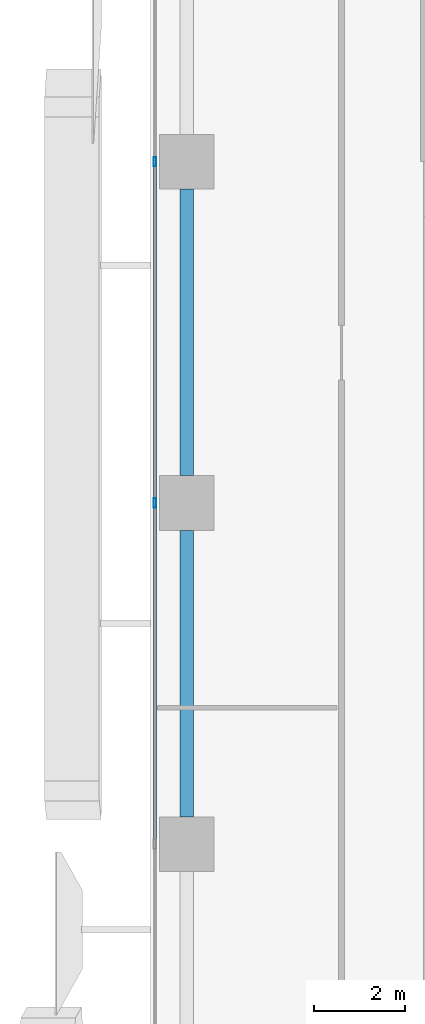
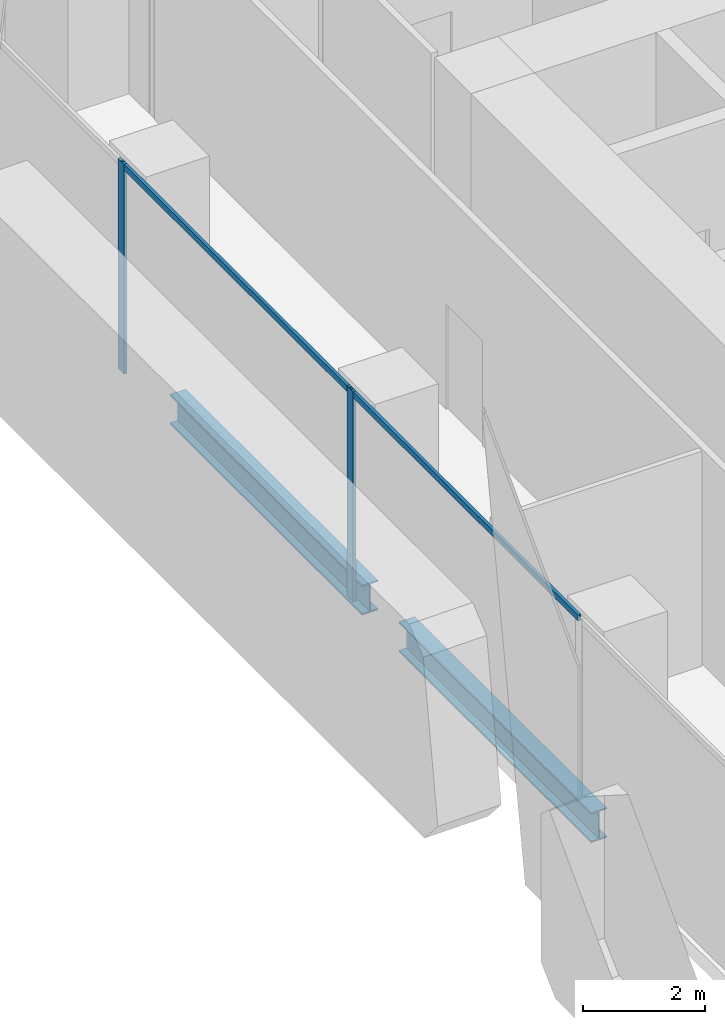
# One storey, part 12 of 36: 4 members, 2 beams, 1 element without a shape of its own.
"""IFC4 building model written with IfcOpenShell, lengths in metres."""

from ifc_helpers import new_model, si_unit, direction, frame, origin, origin_2d, place, context, subcontext, project, spatial, hollow_rectangle, i_section, extrude, source, transform, mapped, material, material_profile, profile_set, type_object, element, aggregate, save


model = new_model("IFC4")

# Units and contexts
model_context = context("Model", 3, precision=1e-05, world=origin(), true_north=direction((0.0, 1.0)))
body_context = subcontext(model_context, "Body", "Model", "MODEL_VIEW")
ifc_project = project(units=[si_unit("LENGTHUNIT", "METRE"), si_unit("AREAUNIT", "SQUARE_METRE"), si_unit("VOLUMEUNIT", "CUBIC_METRE"), si_unit("PLANEANGLEUNIT", "RADIAN"), si_unit("MASSUNIT", "GRAM", prefix="KILO")], contexts=[model_context])

# Site, building, storey
site_placement = place(None, origin())
site = spatial("IfcSite", under=ifc_project, at=site_placement, CompositionType="ELEMENT")
building_placement = place(site_placement, origin())
building = spatial("IfcBuilding", under=site, at=building_placement, Name="Khomas Fold Tower", CompositionType="ELEMENT")
storey_placement = place(building_placement, frame((0.0, 0.0, 46.5)))
storey = spatial("IfcBuildingStorey", under=building, at=storey_placement, Name="L09", CompositionType="ELEMENT", Elevation=46.5)

# Beams
ifc_material_1 = material(Name="Steel S355", Category="steel")
ifc_material_profile_1 = material_profile(ifc_material_1, i_section(OverallWidth=0.300048828125, OverallDepth=0.60009765625, WebThickness=0.015380859375, FlangeThickness=0.030029296875, at=origin_2d()), Name="HE 600 B")
ifc_profile_set_1 = profile_set([ifc_material_profile_1], Name="Steel S355")
beam_type = type_object("IfcBeamType", Name="HE 600 B spandrel SB1", PredefinedType="SPANDREL", material=ifc_profile_set_1)
shared_shape_1 = source(origin(), body_context, "Body", "SweptSolid", [
    extrude(i_section(OverallWidth=0.300048828125, OverallDepth=0.60009765625, WebThickness=0.015380859375, FlangeThickness=0.030029296875, at=origin_2d()), origin(), (0.0, 0.0, 1.0), 6.2998046875),
])
for number, where, z_axis, x_axis, name in (
    (1, (0.800048828125, 35.10009765625, -0.60009765625), (0.0, 1.0, 0.0), (-1.0, 0.0, 0.0), "SB1"),
    (2, (0.800048828125, 27.60009765625, -0.60009765625), (0.0, 1.0, 0.0), (-1.0, 0.0, 0.0), "SB1"),
):
    element("IfcBeam", number, at=place(storey_placement, frame(where, z_axis=z_axis, x_axis=x_axis)), inside=storey, type_object=beam_type, Name=name, PredefinedType="SPANDREL", context=body_context, shape_type="MappedRepresentation", body=[
        mapped(shared_shape_1, transform((0.0, 0.0, 0.0))),
    ])

# Curtain wall, members
ifc_material_2 = material(Name="Aluminium framed double glazing", Category="aluminium")
curtain_wall_type = type_object("IfcCurtainWallType", Name="SK-Unitised clear-glass wall, growing floors CW1", PredefinedType="NOTDEFINED", material=ifc_material_2)
curtain_wall_placement = place(storey_placement, origin())
curtain_wall = element("IfcCurtainWall", 3, at=curtain_wall_placement, inside=storey, type_object=curtain_wall_type, Name="CW1 run L09 09-0", PredefinedType="NOTDEFINED")
ifc_material_3 = material(Name="Aluminium", Category="aluminium")
ifc_material_profile_2 = material_profile(ifc_material_3, hollow_rectangle(XDim=0.06005859375, YDim=0.1201171875, WallThickness=0.00390625, at=origin_2d()), Name="SK-Unitised clear-glass wall, growing floors transom CW1-T")
ifc_profile_set_2 = profile_set([ifc_material_profile_2], Name="Aluminium")
member_type_1 = type_object("IfcMemberType", Name="SK-Unitised clear-glass wall, growing floors transom CW1-T", PredefinedType="USERDEFINED", material=ifc_profile_set_2)
shared_shape_2 = source(origin(), body_context, "Body", "SweptSolid", [
    extrude(hollow_rectangle(XDim=0.06005859375, YDim=0.1201171875, WallThickness=0.00390625, at=origin_2d()), origin(), (0.0, 0.0, 1.0), 7.43994140625),
])
member_1_placement = place(storey_placement, frame((0.10009765625, 41.969970703125, 4.139892578125), z_axis=(0.0, -1.0, 0.0), x_axis=(1.0, 0.0, 0.0)))
member_1 = element("IfcMember", 4, at=member_1_placement, type_object=member_type_1, Name="CW1 transom 3", ObjectType="TRANSOM", PredefinedType="USERDEFINED", context=body_context, shape_type="MappedRepresentation", body=[
    mapped(shared_shape_2, transform((0.0, 0.0, 0.0))),
])
member_2_placement = place(storey_placement, frame((0.10009765625, 34.469970703125, 4.139892578125), z_axis=(0.0, -1.0, 0.0), x_axis=(1.0, 0.0, 0.0)))
member_2 = element("IfcMember", 5, at=member_2_placement, type_object=member_type_1, Name="CW1 transom 4", ObjectType="TRANSOM", PredefinedType="USERDEFINED", context=body_context, shape_type="MappedRepresentation", body=[
    mapped(shared_shape_2, transform((0.0, 0.0, 0.0))),
])
ifc_material_4 = material(Name="Aluminium", Category="aluminium")
ifc_material_profile_3 = material_profile(ifc_material_4, hollow_rectangle(XDim=0.06005859375, YDim=0.199951171875, WallThickness=0.00390625, at=origin_2d()), Name="SK-Unitised clear-glass wall, growing floors mullion CW1-M")
ifc_profile_set_3 = profile_set([ifc_material_profile_3], Name="Aluminium")
member_type_2 = type_object("IfcMemberType", Name="SK-Unitised clear-glass wall, growing floors mullion CW1-M", PredefinedType="MULLION", material=ifc_profile_set_3)
shared_shape_3 = source(origin(), body_context, "Body", "SweptSolid", [
    extrude(hollow_rectangle(XDim=0.06005859375, YDim=0.199951171875, WallThickness=0.00390625, at=origin_2d()), origin(), (0.0, 0.0, 1.0), 4.199951171875),
])
member_3_placement = place(storey_placement, frame((0.10009765625, 42.0, 0.0), z_axis=(0.0, 0.0, 1.0), x_axis=(1.0, 0.0, 0.0)))
member_3 = element("IfcMember", 6, at=member_3_placement, type_object=member_type_2, Name="CW1 mullion 3", PredefinedType="MULLION", context=body_context, shape_type="MappedRepresentation", body=[
    mapped(shared_shape_3, transform((0.0, 0.0, 0.0))),
])
member_4_placement = place(storey_placement, frame((0.10009765625, 34.5, 0.0), z_axis=(0.0, 0.0, 1.0), x_axis=(1.0, 0.0, 0.0)))
member_4 = element("IfcMember", 7, at=member_4_placement, type_object=member_type_2, Name="CW1 mullion 4", PredefinedType="MULLION", context=body_context, shape_type="MappedRepresentation", body=[
    mapped(shared_shape_3, transform((0.0, 0.0, 0.0))),
])
aggregate(curtain_wall, [member_3, member_4, member_1, member_2])

save(model, "model.ifc")
